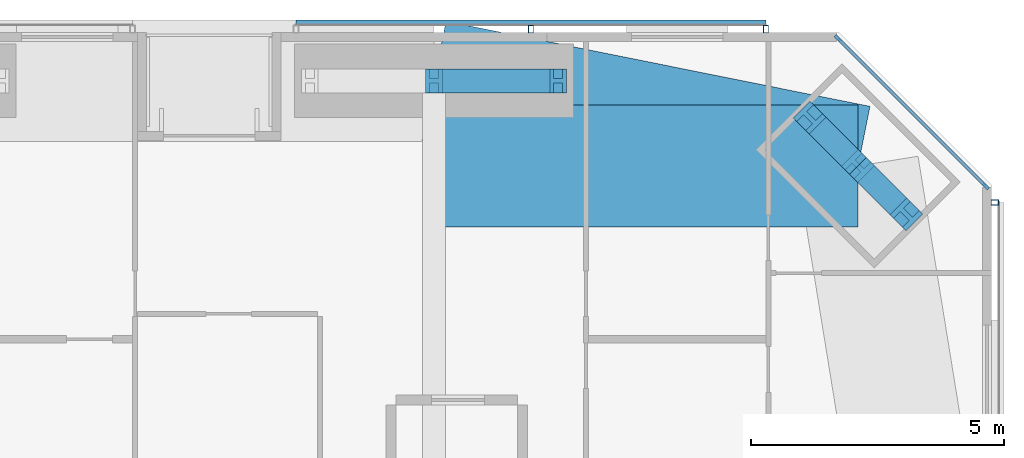
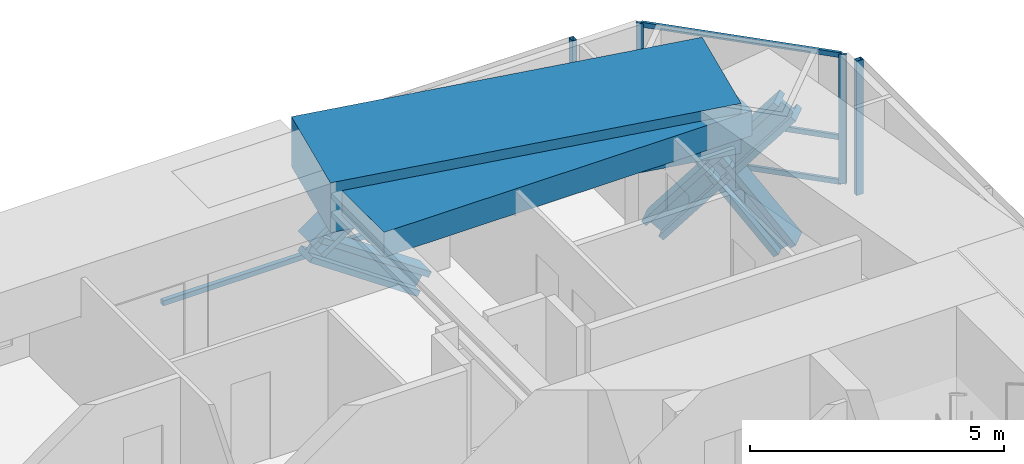
# One storey, part 13 of 22: 15 members, 2 beams, 3 elements without a shape of their own.
"""IFC4 building model written with IfcOpenShell, lengths in metres."""

import ifcopenshell
import ifcopenshell.guid

model = None  # the IFC model being written
_history = None  # IfcOwnerHistory: only IFC2X3 demands one
_inside = {}  # id of a spatial element -> (the spatial element, [elements in it])
_under = {}  # id of a project, library or spatial element -> (it, [spatial elements below it])
_declared = {}  # id of a project -> (the project, [libraries it declares])
_typed = {}  # id of a type object -> (the type object, [elements of that type])
_made_of = {}  # id of a material, layer set ... -> (it, [elements and type objects made of it])


def new_model(schema):
    """Start an empty IFC model of exactly this schema.

    Asked for "IFC4X3", IfcOpenShell would pick the latest addendum, in which some entities
    have other attributes; the version numbers below select the first issue.
    IFC2X3 requires an IfcOwnerHistory on every rooted entity: one is made here for all.
    """
    global model, _history
    if schema == "IFC4X3":
        model = ifcopenshell.file(schema_version=(4, 3, 0, 0))
    else:
        model = ifcopenshell.file(schema=schema)
    _inside.clear()
    _under.clear()
    _declared.clear()
    _typed.clear()
    _made_of.clear()
    _history = None
    if model.schema == "IFC2X3":
        org = make("IfcOrganization", Name="unknown")
        user = make(
            "IfcPersonAndOrganization",
            ThePerson=make("IfcPerson", FamilyName="unknown"),
            TheOrganization=org,
        )
        app = make(
            "IfcApplication",
            ApplicationDeveloper=org,
            Version="unknown",
            ApplicationFullName="unknown",
            ApplicationIdentifier="unknown",
        )
        _history = make(
            "IfcOwnerHistory",
            OwningUser=user,
            OwningApplication=app,
            ChangeAction="ADDED",
            CreationDate=0,
        )
    return model


def make(cls, **values):
    """One entity of the class cls with the attributes given. An attribute that is None is left unset."""
    return model.create_entity(
        cls, **{name: value for name, value in values.items() if value is not None}
    )


def rooted(cls, **values):
    """An entity with a GlobalId (a new one), such as an element, a storey or a relation."""
    return make(cls, GlobalId=ifcopenshell.guid.new(), OwnerHistory=_history, **values)


def si_unit(unit_type, name, prefix=None):
    """IfcSIUnit, for example si_unit("LENGTHUNIT", "METRE", prefix="MILLI")."""
    return make("IfcSIUnit", UnitType=unit_type, Prefix=prefix, Name=name)


def assignment(units):
    """IfcUnitAssignment: the units of a project."""
    return None if units is None else make("IfcUnitAssignment", Units=units)


def point(xyz):
    """IfcCartesianPoint."""
    return None if xyz is None else make("IfcCartesianPoint", Coordinates=xyz)


def direction(xyz):
    """IfcDirection."""
    return None if xyz is None else make("IfcDirection", DirectionRatios=xyz)


def frame(location, z_axis=None, x_axis=None):
    """IfcAxis2Placement3D, a coordinate frame: its origin and axes. An axis left out is left unset."""
    return make(
        "IfcAxis2Placement3D",
        Location=point(location),
        Axis=direction(z_axis),
        RefDirection=direction(x_axis),
    )


def frame_2d(location, x_axis=None):
    """IfcAxis2Placement2D, a coordinate frame in the plane: its origin and x axis."""
    return make(
        "IfcAxis2Placement2D", Location=point(location), RefDirection=direction(x_axis)
    )


def origin():
    """The frame at (0, 0, 0) with its axes left unset."""
    return frame((0.0, 0.0, 0.0))


def origin_2d():
    """The frame at (0, 0) in the plane with its x axis left unset."""
    return frame_2d((0.0, 0.0))


def place(relative_to, where):
    """IfcLocalPlacement: puts the frame where relative to a parent placement (None: the world)."""
    return make(
        "IfcLocalPlacement", PlacementRelTo=relative_to, RelativePlacement=where
    )


def context(
    kind, dimensions, precision=None, world=None, true_north=None, identifier=None
):
    """IfcGeometricRepresentationContext, for example the 3D "Model" context."""
    return make(
        "IfcGeometricRepresentationContext",
        ContextIdentifier=identifier,
        ContextType=kind,
        CoordinateSpaceDimension=dimensions,
        Precision=precision,
        WorldCoordinateSystem=world,
        TrueNorth=true_north,
    )


def subcontext(parent, identifier, kind, view, scale=None):
    """IfcGeometricRepresentationSubContext, for example "Body" below "Model"."""
    return make(
        "IfcGeometricRepresentationSubContext",
        ContextIdentifier=identifier,
        ContextType=kind,
        ParentContext=parent,
        TargetScale=scale,
        TargetView=view,
    )


def project(units=None, contexts=None):
    """IfcProject with its units and contexts."""
    return rooted(
        "IfcProject",
        Name="project",
        RepresentationContexts=contexts,
        UnitsInContext=assignment(units),
    )


def spatial(cls, under=None, at=None, **own):
    """A site, building, storey or space (cls), placed at a placement, below another one or the project."""
    s = rooted(cls, ObjectPlacement=at, **own)
    if under is not None:
        _under.setdefault(under.id(), (under, []))[1].append(s)
    return s


def profile(cls, at=None, kind="AREA", **sizes):
    """A parametric profile (cls). Its sizes go by their IFC names, for example OverallWidth=200.0."""
    return make(cls, ProfileType=kind, Position=at, **sizes)


def rectangle(**sizes):
    """IfcRectangleProfileDef."""
    return profile("IfcRectangleProfileDef", **sizes)


def hollow_rectangle(**sizes):
    """IfcRectangleHollowProfileDef."""
    return profile("IfcRectangleHollowProfileDef", **sizes)


def i_section(**sizes):
    """IfcIShapeProfileDef."""
    return profile("IfcIShapeProfileDef", **sizes)


def extrude(swept, where, along, depth):
    """IfcExtrudedAreaSolid: the profile swept, set in the frame where, extruded along a direction by depth."""
    return make(
        "IfcExtrudedAreaSolid",
        SweptArea=swept,
        Position=where,
        ExtrudedDirection=direction(along),
        Depth=depth,
    )


def shape(context_of_items, identifier, shape_type, items):
    """IfcShapeRepresentation: the items that make up one representation, for example the "Body"."""
    return make(
        "IfcShapeRepresentation",
        ContextOfItems=context_of_items,
        RepresentationIdentifier=identifier,
        RepresentationType=shape_type,
        Items=items,
    )


def material(Name=None, Category=None):
    """IfcMaterial."""
    return make("IfcMaterial", Name=Name, Category=Category)


def material_profile(
    of_material, cross_section, Name=None, Category=None, Priority=None
):
    """IfcMaterialProfile: a cross section and its material."""
    return make(
        "IfcMaterialProfile",
        Name=Name,
        Material=of_material,
        Profile=cross_section,
        Priority=Priority,
        Category=Category,
    )


def profile_set(profiles, Name=None, composite=None):
    """IfcMaterialProfileSet."""
    return make(
        "IfcMaterialProfileSet",
        Name=Name,
        MaterialProfiles=profiles,
        CompositeProfile=composite,
    )


def made_of(thing, what):
    """Note that an element or type object is made of a material, layer set ...; save() writes the relation."""
    if what is not None:
        _made_of.setdefault(what.id(), (what, []))[1].append(thing)
    return thing


def type_object(cls, material=None, **own):
    """A type object (cls), such as IfcWallType, which elements share."""
    return made_of(rooted(cls, **own), material)


def element(
    cls,
    number,
    at=None,
    inside=None,
    cuts=None,
    type_object=None,
    material=None,
    context=None,
    identifier="Body",
    shape_type=None,
    held_by="IfcProductDefinitionShape",
    body=None,
    shapes=None,
    **own,
):
    """One element of the class cls, such as IfcWall. Its Tag is "e" and its number.

    at: its placement. inside: the storey or other place that contains it. cuts: it is an
    opening in that element (IfcRelVoidsElement). A single representation is given by context,
    identifier, shape_type and body (its items); several are given by shapes. held_by: the class
    of the entity that holds the representations. save() writes the other relations.
    """
    e = rooted(cls, Tag="e%d" % number, ObjectPlacement=at, **own)
    if body is not None:
        shapes = [shape(context, identifier, shape_type, body)]
    if shapes is not None:
        e.Representation = make(held_by, Representations=shapes)
    if inside is not None:
        _inside.setdefault(inside.id(), (inside, []))[1].append(e)
    if cuts is not None:
        rooted(
            "IfcRelVoidsElement", RelatingBuildingElement=cuts, RelatedOpeningElement=e
        )
    if type_object is not None:
        _typed.setdefault(type_object.id(), (type_object, []))[1].append(e)
    return made_of(e, material)


def aggregate(whole, parts):
    """IfcRelAggregates: a whole, such as a stair, and the parts it consists of."""
    return rooted("IfcRelAggregates", RelatingObject=whole, RelatedObjects=parts)


def save(model, path):
    """Write the relations noted so far, then the file.

    IfcRelAggregates (storeys below a building ...), IfcRelContainedInSpatialStructure (elements
    in a storey), IfcRelDefinesByType, IfcRelAssociatesMaterial and IfcRelDeclares: one each for
    every whole, place, type object, material and project.
    """
    for whole, parts in _under.values():
        aggregate(whole, parts)
    for where, things in _inside.values():
        rooted(
            "IfcRelContainedInSpatialStructure",
            RelatedElements=things,
            RelatingStructure=where,
        )
    for kind, things in _typed.values():
        rooted("IfcRelDefinesByType", RelatedObjects=things, RelatingType=kind)
    for what, things in _made_of.values():
        rooted("IfcRelAssociatesMaterial", RelatedObjects=things, RelatingMaterial=what)
    for by, libraries in _declared.values():
        rooted("IfcRelDeclares", RelatingContext=by, RelatedDefinitions=libraries)
    model.write(path)


model = new_model("IFC4")

# Units and contexts
model_context = context("Model", 3, precision=1e-05, world=origin(), true_north=direction((0.0, 1.0)))
body_context = subcontext(model_context, "Body", "Model", "MODEL_VIEW")
ifc_project = project(units=[si_unit("LENGTHUNIT", "METRE"), si_unit("AREAUNIT", "SQUARE_METRE"), si_unit("VOLUMEUNIT", "CUBIC_METRE"), si_unit("PLANEANGLEUNIT", "RADIAN"), si_unit("MASSUNIT", "GRAM", prefix="KILO")], contexts=[model_context])

# Site, building, storey
site_placement = place(None, origin())
site = spatial("IfcSite", under=ifc_project, at=site_placement, CompositionType="ELEMENT")
building_placement = place(site_placement, origin())
building = spatial("IfcBuilding", under=site, at=building_placement, Name="Jalousie Tower", CompositionType="ELEMENT")
storey_placement = place(building_placement, frame((0.0, 0.0, 67.89990234375)))
storey = spatial("IfcBuildingStorey", under=building, at=storey_placement, Name="L18", CompositionType="ELEMENT", Elevation=67.89990234375)

# Curtain wall, members
ifc_material_1 = material(Name="Aluminium curtain wall", Category="aluminium")
curtain_wall_type_1 = type_object("IfcCurtainWallType", Name="CORNER WINDOW WALL", PredefinedType="USERDEFINED", material=ifc_material_1)
curtain_wall_1_placement = place(storey_placement, origin())
curtain_wall_1 = element("IfcCurtainWall", 1, at=curtain_wall_1_placement, inside=storey, type_object=curtain_wall_type_1, Name="Corner Window Wall L18 4", ObjectType="CORNER WINDOW WALL", PredefinedType="USERDEFINED")
ifc_material_2 = material(Name="Aluminium mullion", Category="aluminium")
ifc_material_profile_1 = material_profile(ifc_material_2, rectangle(XDim=0.06005859375, YDim=0.14990234375, at=origin_2d()), Name="MULLION 60x150")
ifc_profile_set_1 = profile_set([ifc_material_profile_1], Name="Aluminium mullion")
member_type_1 = type_object("IfcMemberType", Name="CORNER WINDOW WALL MULLION", PredefinedType="MULLION", material=ifc_profile_set_1)
member_1_placement = place(storey_placement, frame((45.891357421875, 34.969970703125, 0.0), z_axis=(0.0, 0.0, 1.0), x_axis=(-0.707106781187, -0.707106781187, 0.0)))
member_1 = element("IfcMember", 2, at=member_1_placement, type_object=member_type_1, Name="CW-C mullion 1", PredefinedType="MULLION", context=body_context, shape_type="SweptSolid", body=[
    extrude(rectangle(XDim=0.06005859375, YDim=0.14990234375, at=origin_2d()), origin(), (0.0, 0.0, 1.0), 3.110107421875),
])
member_2_placement = place(storey_placement, frame((42.969970703125, 37.891357421875, 0.0), z_axis=(0.0, 0.0, 1.0), x_axis=(-0.707106781187, -0.707106781187, 0.0)))
member_2 = element("IfcMember", 3, at=member_2_placement, type_object=member_type_1, Name="CW-C mullion 2", PredefinedType="MULLION", context=body_context, shape_type="SweptSolid", body=[
    extrude(rectangle(XDim=0.06005859375, YDim=0.14990234375, at=origin_2d()), origin(), (0.0, 0.0, 1.0), 3.110107421875),
])
ifc_material_3 = material(Name="Aluminium transom", Category="aluminium")
ifc_material_profile_2 = material_profile(ifc_material_3, rectangle(XDim=0.06005859375, YDim=0.1201171875, at=origin_2d()), Name="TRANSOM 60x120")
ifc_profile_set_2 = profile_set([ifc_material_profile_2], Name="Aluminium transom")
member_type_2 = type_object("IfcMemberType", Name="CORNER WINDOW WALL TRANSOM", PredefinedType="USERDEFINED", material=ifc_profile_set_2)
member_3_placement = place(storey_placement, frame((45.8701171875, 34.9912109375, 0.030029296875), z_axis=(-0.707106781187, 0.707106781187, 0.0), x_axis=(-0.707106781187, -0.707106781187, 0.0)))
member_3 = element("IfcMember", 4, at=member_3_placement, type_object=member_type_2, Name="CW-C transom 1.1", ObjectType="TRANSOM", PredefinedType="USERDEFINED", context=body_context, shape_type="SweptSolid", body=[
    extrude(rectangle(XDim=0.06005859375, YDim=0.1201171875, at=origin_2d()), origin(), (0.0, 0.0, 1.0), 4.0712890625),
])
member_4_placement = place(storey_placement, frame((45.8701171875, 34.9912109375, 1.10009765625), z_axis=(-0.707106781187, 0.707106781187, 0.0), x_axis=(-0.707106781187, -0.707106781187, 0.0)))
member_4 = element("IfcMember", 5, at=member_4_placement, type_object=member_type_2, Name="CW-C transom 1.2", ObjectType="TRANSOM", PredefinedType="USERDEFINED", context=body_context, shape_type="SweptSolid", body=[
    extrude(rectangle(XDim=0.06005859375, YDim=0.1201171875, at=origin_2d()), origin(), (0.0, 0.0, 1.0), 4.0712890625),
])
member_5_placement = place(storey_placement, frame((45.8701171875, 34.9912109375, 3.080078125), z_axis=(-0.707106781187, 0.707106781187, 0.0), x_axis=(-0.707106781187, -0.707106781187, 0.0)))
member_5 = element("IfcMember", 6, at=member_5_placement, type_object=member_type_2, Name="CW-C transom 1.3", ObjectType="TRANSOM", PredefinedType="USERDEFINED", context=body_context, shape_type="SweptSolid", body=[
    extrude(rectangle(XDim=0.06005859375, YDim=0.1201171875, at=origin_2d()), origin(), (0.0, 0.0, 1.0), 4.0712890625),
])
aggregate(curtain_wall_1, [member_1, member_2, member_3, member_4, member_5])

# Members
ifc_material_4 = material(Name="Steel ASTM A992 Grade 50", Category="steel")
ifc_material_profile_3 = material_profile(ifc_material_4, i_section(OverallWidth=0.472412109375, OverallDepth=0.5791015625, WebThickness=0.094970703125, FlangeThickness=0.1298828125, at=origin_2d()), Name="W14X808")
ifc_profile_set_3 = profile_set([ifc_material_profile_3], Name="Steel ASTM A992 Grade 50")
member_type_3 = type_object("IfcMemberType", Name="PERIMETER BRACE W14X808", PredefinedType="BRACE", material=ifc_profile_set_3)
member_6_placement = place(storey_placement, frame((44.3232421875, 34.4140625, -0.599853515625), z_axis=(-0.443718327034, 0.443718327034, 0.778606506849), x_axis=(-0.707106781187, -0.707106781187, 0.0)))
element("IfcMember", 7, at=member_6_placement, inside=storey, type_object=member_type_3, Name="Perimeter brace 08 L18 part 1", PredefinedType="BRACE", context=body_context, shape_type="SweptSolid", body=[
    extrude(i_section(OverallWidth=0.472412109375, OverallDepth=0.5791015625, WebThickness=0.094970703125, FlangeThickness=0.1298828125, at=origin_2d()), origin(), (0.0, 0.0, 1.0), 2.1513671875),
])
member_7_placement = place(storey_placement, frame((43.36865234375, 35.36865234375, 1.0751953125), z_axis=(-0.443757535686, 0.443757535686, 0.778561814529), x_axis=(-0.707106781187, -0.707106781187, 0.0)))
element("IfcMember", 8, at=member_7_placement, inside=storey, type_object=member_type_3, Name="Perimeter brace 08 L18 part 2", PredefinedType="BRACE", context=body_context, shape_type="SweptSolid", body=[
    extrude(i_section(OverallWidth=0.472412109375, OverallDepth=0.5791015625, WebThickness=0.094970703125, FlangeThickness=0.1298828125, at=origin_2d()), origin(), (0.0, 0.0, 1.0), 2.151123046875),
])
member_8_placement = place(storey_placement, frame((42.4140625, 36.3232421875, -0.599853515625), z_axis=(0.443718327034, -0.443718327034, 0.778606506849), x_axis=(0.707106781187, 0.707106781187, 0.0)))
element("IfcMember", 9, at=member_8_placement, inside=storey, type_object=member_type_3, Name="Perimeter brace 08 L18 part 3", PredefinedType="BRACE", context=body_context, shape_type="SweptSolid", body=[
    extrude(i_section(OverallWidth=0.472412109375, OverallDepth=0.5791015625, WebThickness=0.094970703125, FlangeThickness=0.1298828125, at=origin_2d()), origin(), (0.0, 0.0, 1.0), 2.1513671875),
])
member_9_placement = place(storey_placement, frame((43.36865234375, 35.36865234375, 1.0751953125), z_axis=(0.443757535686, -0.443757535686, 0.778561814529), x_axis=(0.707106781187, 0.707106781187, 0.0)))
element("IfcMember", 10, at=member_9_placement, inside=storey, type_object=member_type_3, Name="Perimeter brace 08 L18 part 4", PredefinedType="BRACE", context=body_context, shape_type="SweptSolid", body=[
    extrude(i_section(OverallWidth=0.472412109375, OverallDepth=0.5791015625, WebThickness=0.094970703125, FlangeThickness=0.1298828125, at=origin_2d()), origin(), (0.0, 0.0, 1.0), 2.151123046875),
])
for number, where, z_axis, x_axis, name in (
    (11, (35.0, 37.050048828125, 1.0751953125), (0.825539243753, 0.0, 0.564344714713), (0.0, 1.0, 0.0), "Perimeter brace 09 L18 part 2"),
    (12, (37.449951171875, 37.050048828125, -0.599853515625), (-0.825500916831, 0.0, 0.564400776321), (0.0, -1.0, 0.0), "Perimeter brace 09 L18 part 3"),
):
    element("IfcMember", number, at=place(storey_placement, frame(where, z_axis=z_axis, x_axis=x_axis)), inside=storey, type_object=member_type_3, Name=name, PredefinedType="BRACE", context=body_context, shape_type="SweptSolid", body=[
        extrude(i_section(OverallWidth=0.472412109375, OverallDepth=0.5791015625, WebThickness=0.094970703125, FlangeThickness=0.1298828125, at=origin_2d()), origin(), (0.0, 0.0, 1.0), 2.9677734375),
    ])

# Beams
ifc_material_5 = material(Name="Concrete f'c 40 MPa", Category="concrete")
ifc_material_profile_4 = material_profile(ifc_material_5, rectangle(XDim=2.39990234375, YDim=1.199951171875, at=origin_2d()), Name="RC 2400x1200")
ifc_profile_set_4 = profile_set([ifc_material_profile_4], Name="Concrete f'c 40 MPa")
beam_type_1 = type_object("IfcBeamType", Name="RC BEAM 2400x1200", PredefinedType="BEAM", material=ifc_profile_set_4)
beam_1_placement = place(storey_placement, frame((43.36865234375, 35.36865234375, 2.75), z_axis=(-0.980407585444, 0.196979609107, 0.0), x_axis=(-0.196979609107, -0.980407585444, 0.0)))
element("IfcBeam", 13, at=beam_1_placement, inside=storey, type_object=beam_type_1, Name="Edge band beam 08-09 under L19", PredefinedType="BEAM", context=body_context, shape_type="SweptSolid", body=[
    extrude(rectangle(XDim=2.39990234375, YDim=1.199951171875, at=origin_2d()), origin(), (0.0, 0.0, 1.0), 8.535888671875),
])
ifc_material_6 = material(Name="Concrete f'c 40 MPa", Category="concrete")
ifc_material_profile_5 = material_profile(ifc_material_6, rectangle(XDim=2.39990234375, YDim=0.60009765625, at=origin_2d()), Name="RC 2400x600")
ifc_profile_set_5 = profile_set([ifc_material_profile_5], Name="Concrete f'c 40 MPa")
beam_type_2 = type_object("IfcBeamType", Name="RC BEAM 2400x600", PredefinedType="BEAM", material=ifc_profile_set_5)
beam_2_placement = place(storey_placement, frame((43.36865234375, 35.36865234375, 2.81005859375), z_axis=(-1.0, 0.0, 0.0), x_axis=(0.0, -1.0, 0.0)))
element("IfcBeam", 14, at=beam_2_placement, inside=storey, type_object=beam_type_2, Name="Floor band beam under L19", PredefinedType="BEAM", context=body_context, shape_type="SweptSolid", body=[
    extrude(rectangle(XDim=2.39990234375, YDim=0.60009765625, at=origin_2d()), origin(), (0.0, 0.0, 1.0), 8.36865234375),
])

# Curtain wall, member
ifc_material_7 = material(Name="Perforated aluminium sheet", Category="aluminium")
curtain_wall_type_2 = type_object("IfcCurtainWallType", Name="SOLAR SCREEN SS-1", PredefinedType="USERDEFINED", material=ifc_material_7)
curtain_wall_2_placement = place(storey_placement, origin())
curtain_wall_2 = element("IfcCurtainWall", 15, at=curtain_wall_2_placement, inside=storey, type_object=curtain_wall_type_2, Name="Solar screen L18", ObjectType="SOLAR SCREEN SS-1", PredefinedType="USERDEFINED")
ifc_material_8 = material(Name="Steel ASTM A500 Grade C", Category="steel")
ifc_material_profile_6 = material_profile(ifc_material_8, hollow_rectangle(XDim=0.1015625, YDim=0.15234375, WallThickness=0.00634765625, at=origin_2d()), Name="HSS6X4X1/4")
ifc_profile_set_6 = profile_set([ifc_material_profile_6], Name="Steel ASTM A500 Grade C")
member_type_4 = type_object("IfcMemberType", Name="SOLAR SCREEN SS-1 MULLION", PredefinedType="MULLION", material=ifc_profile_set_6)
member_10_placement = place(storey_placement, frame((46.0712890625, 34.648681640625, -0.119873046875), z_axis=(0.0, 0.0, 1.0), x_axis=(0.0, 1.0, 0.0)))
member_10 = element("IfcMember", 16, at=member_10_placement, type_object=member_type_4, Name="SS1 post 4", PredefinedType="MULLION", context=body_context, shape_type="SweptSolid", body=[
    extrude(hollow_rectangle(XDim=0.1015625, YDim=0.15234375, WallThickness=0.00634765625, at=origin_2d()), origin(), (0.0, 0.0, 1.0), 3.22998046875),
])
aggregate(curtain_wall_2, [member_10])

# Curtain wall, members
curtain_wall_3_placement = place(storey_placement, origin())
curtain_wall_3 = element("IfcCurtainWall", 17, at=curtain_wall_3_placement, inside=storey, type_object=curtain_wall_type_2, Name="Solar screen L18", ObjectType="SOLAR SCREEN SS-1", PredefinedType="USERDEFINED")
member_11_placement = place(storey_placement, frame((41.550048828125, 38.0712890625, -0.119873046875), z_axis=(0.0, 0.0, 1.0), x_axis=(-1.0, 0.0, 0.0)))
member_11 = element("IfcMember", 18, at=member_11_placement, type_object=member_type_4, Name="SS1 post 1", PredefinedType="MULLION", context=body_context, shape_type="SweptSolid", body=[
    extrude(hollow_rectangle(XDim=0.1015625, YDim=0.15234375, WallThickness=0.00634765625, at=origin_2d()), origin(), (0.0, 0.0, 1.0), 3.22998046875),
])
member_12_placement = place(storey_placement, frame((36.91259765625, 38.0712890625, -0.119873046875), z_axis=(0.0, 0.0, 1.0), x_axis=(-1.0, 0.0, 0.0)))
member_12 = element("IfcMember", 19, at=member_12_placement, type_object=member_type_4, Name="SS1 post 2", PredefinedType="MULLION", context=body_context, shape_type="SweptSolid", body=[
    extrude(hollow_rectangle(XDim=0.1015625, YDim=0.15234375, WallThickness=0.00634765625, at=origin_2d()), origin(), (0.0, 0.0, 1.0), 3.22998046875),
])
ifc_material_9 = material(Name="Extruded aluminium screen rail", Category="aluminium")
ifc_material_profile_7 = material_profile(ifc_material_9, rectangle(XDim=0.1015625, YDim=0.1201171875, at=origin_2d()), Name="RAIL 102x120")
ifc_profile_set_7 = profile_set([ifc_material_profile_7], Name="Extruded aluminium screen rail")
member_type_5 = type_object("IfcMemberType", Name="SOLAR SCREEN SS-1 TRANSOM", PredefinedType="USERDEFINED", material=ifc_profile_set_7)
member_13_placement = place(storey_placement, frame((41.550048828125, 38.1982421875, -0.059814453125), z_axis=(-1.0, 0.0, 0.0), x_axis=(0.0, -1.0, 0.0)))
member_13 = element("IfcMember", 20, at=member_13_placement, type_object=member_type_5, Name="SS1 rail", ObjectType="TRANSOM", PredefinedType="USERDEFINED", context=body_context, shape_type="SweptSolid", body=[
    extrude(rectangle(XDim=0.1015625, YDim=0.1201171875, at=origin_2d()), origin(), (0.0, 0.0, 1.0), 9.275146484375),
])
aggregate(curtain_wall_3, [member_11, member_12, member_13])

save(model, "model.ifc")
